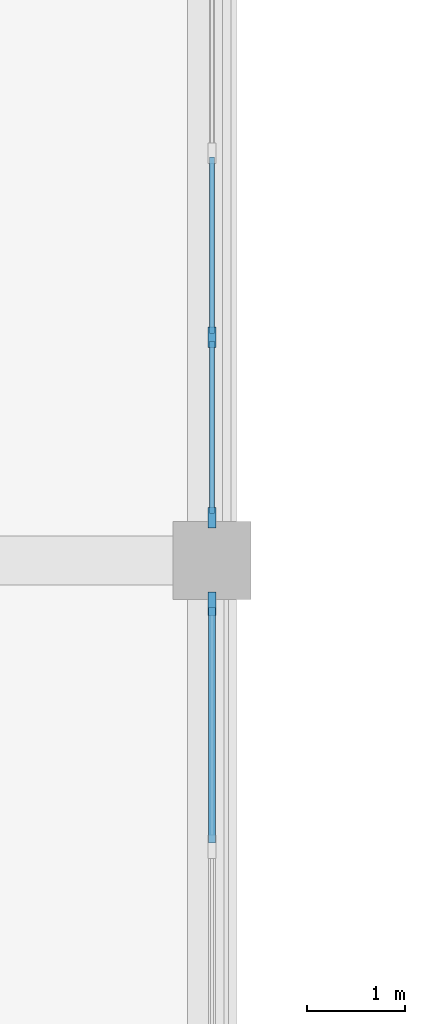
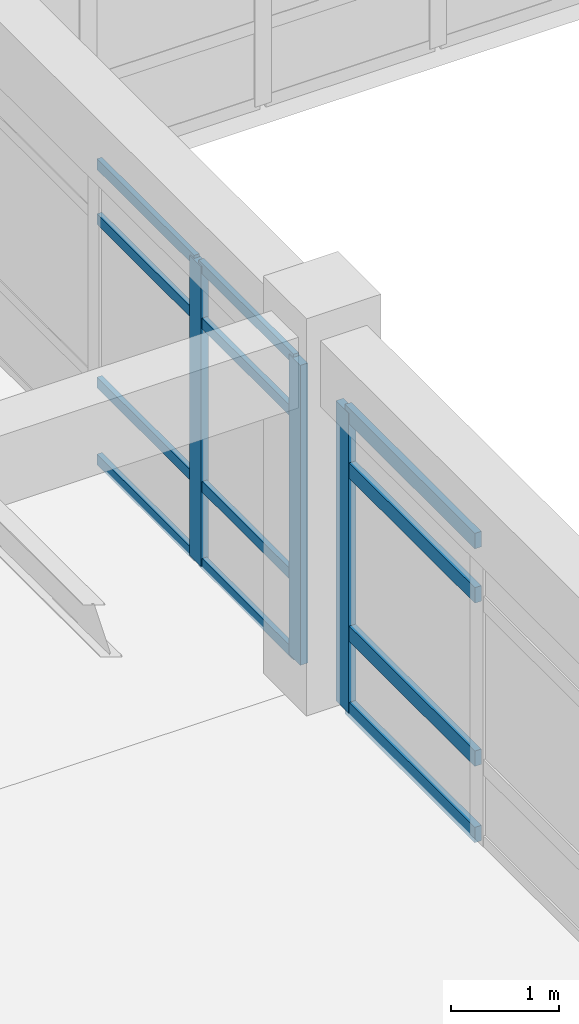
# One storey, part 25 of 99: 15 members, 2 elements without a shape of their own.
"""IFC4 building model written with IfcOpenShell, lengths in metres."""

from ifc_helpers import new_model, si_unit, direction, frame, origin, origin_2d, place, context, subcontext, project, spatial, rectangle, extrude, material, layer, layer_set, material_profile, profile_set, type_object, element, aggregate, save


model = new_model("IFC4")

# Units and contexts
model_context = context("Model", 3, precision=1e-05, world=origin(), true_north=direction((0.0, 1.0)))
body_context = subcontext(model_context, "Body", "Model", "MODEL_VIEW")
ifc_project = project(units=[si_unit("LENGTHUNIT", "METRE"), si_unit("AREAUNIT", "SQUARE_METRE"), si_unit("VOLUMEUNIT", "CUBIC_METRE"), si_unit("PLANEANGLEUNIT", "RADIAN"), si_unit("MASSUNIT", "GRAM", prefix="KILO")], contexts=[model_context])

# Site, building, storey
site_placement = place(None, origin())
site = spatial("IfcSite", under=ifc_project, at=site_placement, CompositionType="ELEMENT")
building_placement = place(site_placement, origin())
building = spatial("IfcBuilding", under=site, at=building_placement, Name="Porcellanite Civic Hall", CompositionType="ELEMENT")
storey_placement = place(building_placement, frame((0.0, 0.0, 5.760009765625)))
storey = spatial("IfcBuildingStorey", under=building, at=storey_placement, Name="L01", CompositionType="ELEMENT", Elevation=5.760009765625)

# Curtain wall, member
ifc_material_1 = material(Name="Anodised aluminium and solar laminated glass", Category="aluminium")
ifc_layer_1 = layer(ifc_material_1, 0.179931640625)
ifc_layer_set_1 = layer_set([ifc_layer_1], Name="Anodised aluminium and solar laminated glass")
curtain_wall_type_1 = type_object("IfcCurtainWallType", Name="CW-SYS08", PredefinedType="NOTDEFINED", material=ifc_layer_set_1)
curtain_wall_1_placement = place(storey_placement, origin())
curtain_wall_1 = element("IfcCurtainWall", 1, at=curtain_wall_1_placement, inside=storey, type_object=curtain_wall_type_1, Name="Curtain wall CW-082", PredefinedType="NOTDEFINED")
ifc_material_2 = material(Name="Anodised aluminium 6063-T6", Category="aluminium")
ifc_material_profile_1 = material_profile(ifc_material_2, rectangle(XDim=0.080078125, YDim=0.239990234375, at=origin_2d()), Name="AL-80x240")
ifc_profile_set_1 = profile_set([ifc_material_profile_1], Name="Anodised aluminium 6063-T6")
member_type_1 = type_object("IfcMemberType", Name="CWM-01", PredefinedType="MULLION", material=ifc_profile_set_1)
member_1_placement = place(storey_placement, frame((58.800048828125, 91.958984375, 0.0), z_axis=(0.0, 0.0, 1.0), x_axis=(1.0, 0.0, 0.0)))
member_1 = element("IfcMember", 2, at=member_1_placement, type_object=member_type_1, Name="CW-082 mullion 1", PredefinedType="MULLION", context=body_context, shape_type="SweptSolid", body=[
    extrude(rectangle(XDim=0.080078125, YDim=0.239990234375, at=origin_2d()), origin(), (0.0, 0.0, 1.0), 3.39990234375),
])

# Curtain wall, members
ifc_material_3 = material(Name="Anodised aluminium and solar laminated glass", Category="aluminium")
ifc_layer_2 = layer(ifc_material_3, 0.179931640625)
ifc_layer_set_2 = layer_set([ifc_layer_2], Name="Anodised aluminium and solar laminated glass")
curtain_wall_type_2 = type_object("IfcCurtainWallType", Name="CW-SYS03", PredefinedType="NOTDEFINED", material=ifc_layer_set_2)
curtain_wall_2_placement = place(storey_placement, origin())
curtain_wall_2 = element("IfcCurtainWall", 3, at=curtain_wall_2_placement, inside=storey, type_object=curtain_wall_type_2, Name="Curtain wall CW-084", PredefinedType="NOTDEFINED")
ifc_material_4 = material(Name="Anodised aluminium 6063-T6", Category="aluminium")
ifc_material_profile_2 = material_profile(ifc_material_4, rectangle(XDim=0.080078125, YDim=0.2099609375, at=origin_2d()), Name="AL-80x210")
ifc_profile_set_2 = profile_set([ifc_material_profile_2], Name="Anodised aluminium 6063-T6")
member_type_2 = type_object("IfcMemberType", Name="CWM-02", PredefinedType="MULLION", material=ifc_profile_set_2)
member_2_placement = place(storey_placement, frame((58.800048828125, 94.68798828125, 0.0), z_axis=(0.0, 0.0, 1.0), x_axis=(1.0, 0.0, 0.0)))
member_2 = element("IfcMember", 4, at=member_2_placement, type_object=member_type_2, Name="CW-084 mullion 4", PredefinedType="MULLION", context=body_context, shape_type="SweptSolid", body=[
    extrude(rectangle(XDim=0.080078125, YDim=0.2099609375, at=origin_2d()), origin(), (0.0, 0.0, 1.0), 3.39990234375),
])
member_3_placement = place(storey_placement, frame((58.800048828125, 92.841064453125, 0.0), z_axis=(0.0, 0.0, 1.0), x_axis=(1.0, 0.0, 0.0)))
member_3 = element("IfcMember", 5, at=member_3_placement, type_object=member_type_2, Name="CW-084 mullion 5", PredefinedType="MULLION", context=body_context, shape_type="SweptSolid", body=[
    extrude(rectangle(XDim=0.080078125, YDim=0.2099609375, at=origin_2d()), origin(), (0.0, 0.0, 1.0), 3.39990234375),
])

# Member
ifc_material_5 = material(Name="Anodised aluminium 6063-T6", Category="aluminium")
ifc_material_profile_3 = material_profile(ifc_material_5, rectangle(XDim=0.070068359375, YDim=0.175048828125, at=origin_2d()), Name="AL-70x175")
ifc_profile_set_3 = profile_set([ifc_material_profile_3], Name="Anodised aluminium 6063-T6")
member_type_3 = type_object("IfcMemberType", Name="CWT-01", PredefinedType="USERDEFINED", material=ifc_profile_set_3)
member_4_placement = place(storey_placement, frame((58.800048828125, 91.9189453125, 0.034912109375), z_axis=(0.0, -1.0, 0.0), x_axis=(1.0, 0.0, 0.0)))
member_4 = element("IfcMember", 6, at=member_4_placement, type_object=member_type_3, Name="CW-082 transom 1.1", ObjectType="TRANSOM", PredefinedType="USERDEFINED", context=body_context, shape_type="SweptSolid", body=[
    extrude(rectangle(XDim=0.070068359375, YDim=0.175048828125, at=origin_2d()), origin(), (0.0, 0.0, 1.0), 2.41259765625),
])

member_5_placement = place(storey_placement, frame((58.800048828125, 91.9189453125, 0.89990234375), z_axis=(0.0, -1.0, 0.0), x_axis=(1.0, 0.0, 0.0)))
member_5 = element("IfcMember", 7, at=member_5_placement, type_object=member_type_3, Name="CW-082 transom 1.2", ObjectType="TRANSOM", PredefinedType="USERDEFINED", context=body_context, shape_type="SweptSolid", body=[
    extrude(rectangle(XDim=0.070068359375, YDim=0.175048828125, at=origin_2d()), origin(), (0.0, 0.0, 1.0), 2.41259765625),
])

member_6_placement = place(storey_placement, frame((58.800048828125, 91.9189453125, 2.75), z_axis=(0.0, -1.0, 0.0), x_axis=(1.0, 0.0, 0.0)))
member_6 = element("IfcMember", 8, at=member_6_placement, type_object=member_type_3, Name="CW-082 transom 1.3", ObjectType="TRANSOM", PredefinedType="USERDEFINED", context=body_context, shape_type="SweptSolid", body=[
    extrude(rectangle(XDim=0.070068359375, YDim=0.175048828125, at=origin_2d()), origin(), (0.0, 0.0, 1.0), 2.41259765625),
])

member_7_placement = place(storey_placement, frame((58.800048828125, 91.9189453125, 3.364990234375), z_axis=(0.0, -1.0, 0.0), x_axis=(1.0, 0.0, 0.0)))
member_7 = element("IfcMember", 9, at=member_7_placement, type_object=member_type_3, Name="CW-082 transom 1.4", ObjectType="TRANSOM", PredefinedType="USERDEFINED", context=body_context, shape_type="SweptSolid", body=[
    extrude(rectangle(XDim=0.070068359375, YDim=0.175048828125, at=origin_2d()), origin(), (0.0, 0.0, 1.0), 2.41259765625),
])

aggregate(curtain_wall_1, [member_1, member_4, member_5, member_6, member_7])

ifc_material_6 = material(Name="Anodised aluminium 6063-T6", Category="aluminium")
ifc_material_profile_4 = material_profile(ifc_material_6, rectangle(XDim=0.054931640625, YDim=0.1201171875, at=origin_2d()), Name="AL-55x120")
ifc_profile_set_4 = profile_set([ifc_material_profile_4], Name="Anodised aluminium 6063-T6")
member_type_4 = type_object("IfcMemberType", Name="CWT-04", PredefinedType="USERDEFINED", material=ifc_profile_set_4)
member_8_placement = place(storey_placement, frame((58.800048828125, 96.534912109375, 0.027587890625), z_axis=(0.0, -1.0, 0.0), x_axis=(1.0, 0.0, 0.0)))
member_8 = element("IfcMember", 10, at=member_8_placement, type_object=member_type_4, Name="CW-084 transom 3.1", ObjectType="TRANSOM", PredefinedType="USERDEFINED", context=body_context, shape_type="SweptSolid", body=[
    extrude(rectangle(XDim=0.054931640625, YDim=0.1201171875, at=origin_2d()), origin(), (0.0, 0.0, 1.0), 1.806884765625),
])

member_9_placement = place(storey_placement, frame((58.800048828125, 96.534912109375, 0.89990234375), z_axis=(0.0, -1.0, 0.0), x_axis=(1.0, 0.0, 0.0)))
member_9 = element("IfcMember", 11, at=member_9_placement, type_object=member_type_4, Name="CW-084 transom 3.2", ObjectType="TRANSOM", PredefinedType="USERDEFINED", context=body_context, shape_type="SweptSolid", body=[
    extrude(rectangle(XDim=0.054931640625, YDim=0.1201171875, at=origin_2d()), origin(), (0.0, 0.0, 1.0), 1.806884765625),
])

member_10_placement = place(storey_placement, frame((58.800048828125, 96.534912109375, 2.75), z_axis=(0.0, -1.0, 0.0), x_axis=(1.0, 0.0, 0.0)))
member_10 = element("IfcMember", 12, at=member_10_placement, type_object=member_type_4, Name="CW-084 transom 3.3", ObjectType="TRANSOM", PredefinedType="USERDEFINED", context=body_context, shape_type="SweptSolid", body=[
    extrude(rectangle(XDim=0.054931640625, YDim=0.1201171875, at=origin_2d()), origin(), (0.0, 0.0, 1.0), 1.806884765625),
])

member_11_placement = place(storey_placement, frame((58.800048828125, 96.534912109375, 3.37255859375), z_axis=(0.0, -1.0, 0.0), x_axis=(1.0, 0.0, 0.0)))
member_11 = element("IfcMember", 13, at=member_11_placement, type_object=member_type_4, Name="CW-084 transom 3.4", ObjectType="TRANSOM", PredefinedType="USERDEFINED", context=body_context, shape_type="SweptSolid", body=[
    extrude(rectangle(XDim=0.054931640625, YDim=0.1201171875, at=origin_2d()), origin(), (0.0, 0.0, 1.0), 1.806884765625),
])

member_12_placement = place(storey_placement, frame((58.800048828125, 94.64794921875, 0.027587890625), z_axis=(0.0, -1.0, 0.0), x_axis=(1.0, 0.0, 0.0)))
member_12 = element("IfcMember", 14, at=member_12_placement, type_object=member_type_4, Name="CW-084 transom 4.1", ObjectType="TRANSOM", PredefinedType="USERDEFINED", context=body_context, shape_type="SweptSolid", body=[
    extrude(rectangle(XDim=0.054931640625, YDim=0.1201171875, at=origin_2d()), origin(), (0.0, 0.0, 1.0), 1.766845703125),
])

member_13_placement = place(storey_placement, frame((58.800048828125, 94.64794921875, 0.89990234375), z_axis=(0.0, -1.0, 0.0), x_axis=(1.0, 0.0, 0.0)))
member_13 = element("IfcMember", 15, at=member_13_placement, type_object=member_type_4, Name="CW-084 transom 4.2", ObjectType="TRANSOM", PredefinedType="USERDEFINED", context=body_context, shape_type="SweptSolid", body=[
    extrude(rectangle(XDim=0.054931640625, YDim=0.1201171875, at=origin_2d()), origin(), (0.0, 0.0, 1.0), 1.766845703125),
])

member_14_placement = place(storey_placement, frame((58.800048828125, 94.64794921875, 2.75), z_axis=(0.0, -1.0, 0.0), x_axis=(1.0, 0.0, 0.0)))
member_14 = element("IfcMember", 16, at=member_14_placement, type_object=member_type_4, Name="CW-084 transom 4.3", ObjectType="TRANSOM", PredefinedType="USERDEFINED", context=body_context, shape_type="SweptSolid", body=[
    extrude(rectangle(XDim=0.054931640625, YDim=0.1201171875, at=origin_2d()), origin(), (0.0, 0.0, 1.0), 1.766845703125),
])

member_15_placement = place(storey_placement, frame((58.800048828125, 94.64794921875, 3.37255859375), z_axis=(0.0, -1.0, 0.0), x_axis=(1.0, 0.0, 0.0)))
member_15 = element("IfcMember", 17, at=member_15_placement, type_object=member_type_4, Name="CW-084 transom 4.4", ObjectType="TRANSOM", PredefinedType="USERDEFINED", context=body_context, shape_type="SweptSolid", body=[
    extrude(rectangle(XDim=0.054931640625, YDim=0.1201171875, at=origin_2d()), origin(), (0.0, 0.0, 1.0), 1.766845703125),
])

aggregate(curtain_wall_2, [member_2, member_3, member_8, member_9, member_10, member_11, member_12, member_13, member_14, member_15])

save(model, "model.ifc")
